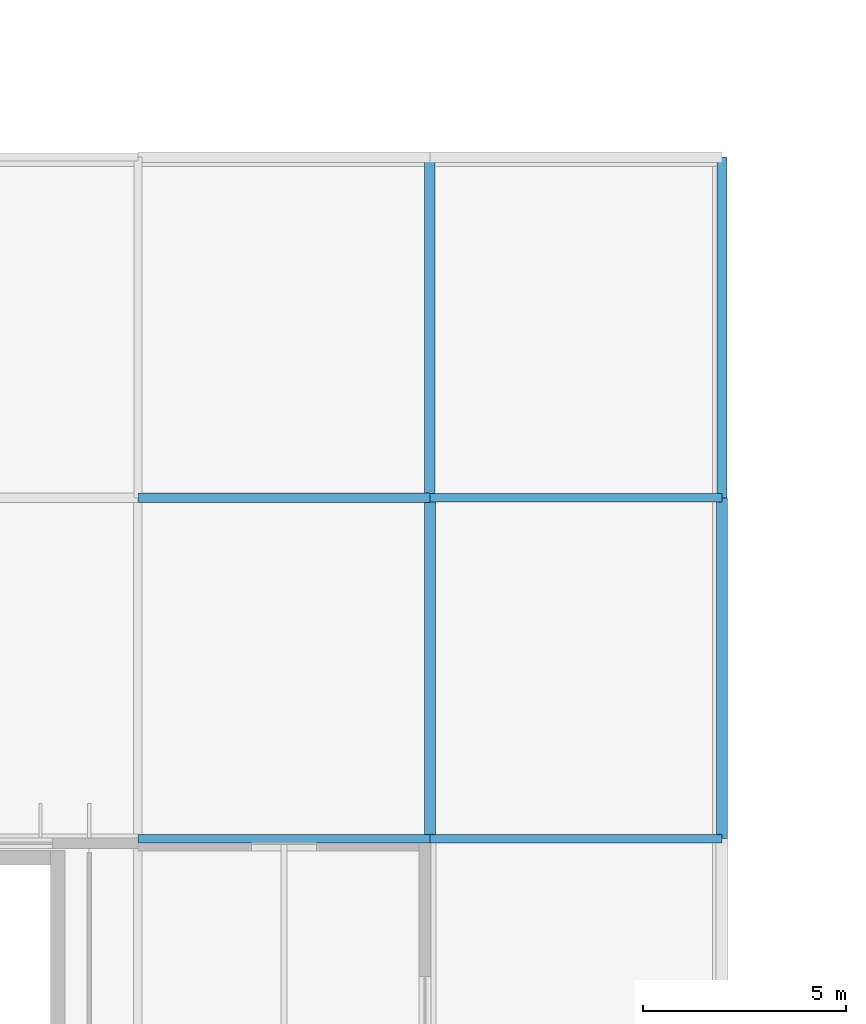
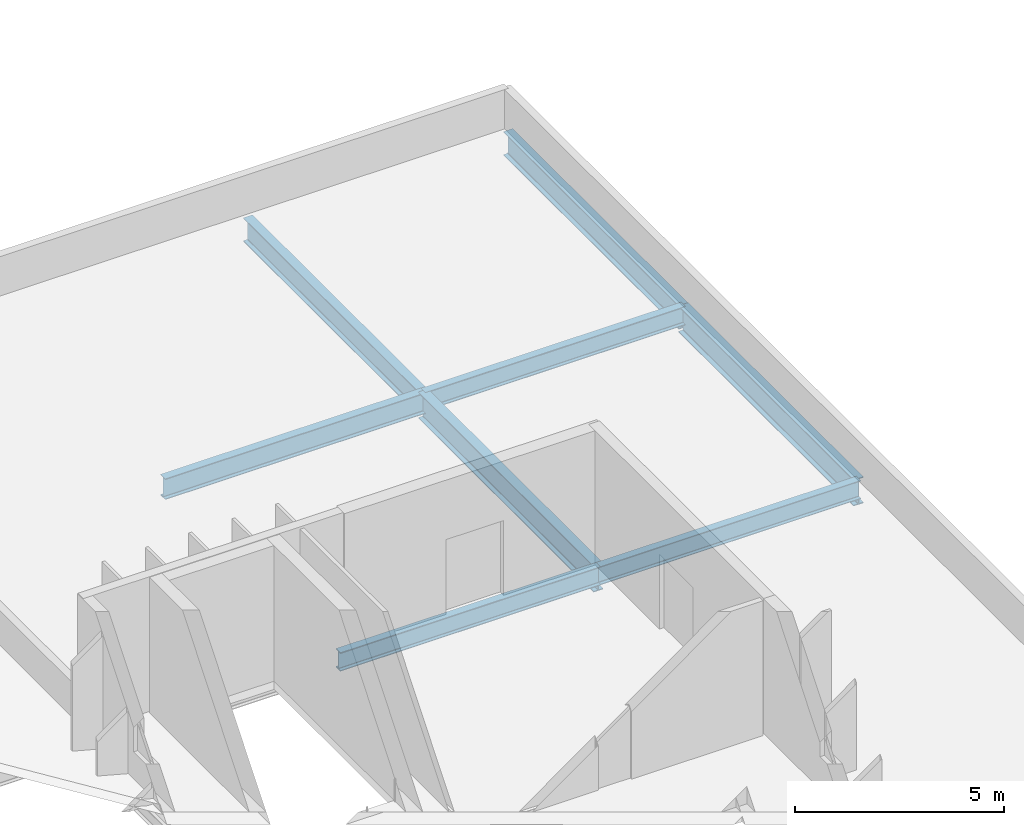
# One storey, part 19 of 99: 8 beams.
"""IFC4 building model written with IfcOpenShell, lengths in metres."""

from ifc_helpers import new_model, si_unit, direction, frame, origin, origin_2d, place, context, subcontext, project, spatial, i_section, extrude, material, material_profile, profile_set, type_object, element, save


model = new_model("IFC4")

# Units and contexts
model_context = context("Model", 3, precision=1e-05, world=origin(), true_north=direction((0.0, 1.0)))
body_context = subcontext(model_context, "Body", "Model", "MODEL_VIEW")
ifc_project = project(units=[si_unit("LENGTHUNIT", "METRE"), si_unit("AREAUNIT", "SQUARE_METRE"), si_unit("VOLUMEUNIT", "CUBIC_METRE"), si_unit("PLANEANGLEUNIT", "RADIAN"), si_unit("MASSUNIT", "GRAM", prefix="KILO")], contexts=[model_context])

# Site, building, storey
site_placement = place(None, origin())
site = spatial("IfcSite", under=ifc_project, at=site_placement, CompositionType="ELEMENT")
building_placement = place(site_placement, origin())
building = spatial("IfcBuilding", under=site, at=building_placement, Name="Qelthora Terrace Specialist Clinic", CompositionType="ELEMENT")
storey_placement = place(building_placement, frame((0.0, 0.0, 9.0)))
storey = spatial("IfcBuildingStorey", under=building, at=storey_placement, Name="L02", CompositionType="ELEMENT", Elevation=9.0)

# Beams
ifc_material = material(Name="Steel S355", Category="steel")
ifc_material_profile_1 = material_profile(ifc_material, i_section(OverallWidth=0.2099609375, OverallDepth=0.537109375, WebThickness=0.010986328125, FlangeThickness=0.017333984375, FilletRadius=0.013916015625, at=origin_2d()), Name="W530X101")
ifc_profile_set_1 = profile_set([ifc_material_profile_1], Name="Steel S355")
beam_type_1 = type_object("IfcBeamType", Name="BM-W530X101", PredefinedType="BEAM", material=ifc_profile_set_1)
beam_1_placement = place(storey_placement, frame((36.0, 16.800048828125, -0.5224609375), z_axis=(1.0, 0.0, 0.0), x_axis=(0.0, 1.0, 0.0)))
element("IfcBeam", 1, at=beam_1_placement, inside=storey, type_object=beam_type_1, Name="Girder BMX-L02-0580", PredefinedType="BEAM", context=body_context, shape_type="SweptSolid", body=[
    extrude(i_section(OverallWidth=0.2099609375, OverallDepth=0.537109375, WebThickness=0.010986328125, FlangeThickness=0.017333984375, FilletRadius=0.013916015625, at=origin_2d()), origin(), (0.0, 0.0, 1.0), 7.199951171875),
])
ifc_material_profile_2 = material_profile(ifc_material, i_section(OverallWidth=0.2119140625, OverallDepth=0.5439453125, WebThickness=0.01318359375, FlangeThickness=0.021240234375, FilletRadius=0.013916015625, at=origin_2d()), Name="W530X123")
ifc_profile_set_2 = profile_set([ifc_material_profile_2], Name="Steel S355")
beam_type_2 = type_object("IfcBeamType", Name="BM-W530X123", PredefinedType="BEAM", material=ifc_profile_set_2)
for number, where, z_axis, x_axis, name in (
    (2, (28.800048828125, 16.800048828125, -0.52587890625), (1.0, 0.0, 0.0), (0.0, 1.0, 0.0), "Girder BMX-L02-0579"),
    (3, (36.0, 25.199951171875, -0.52587890625), (1.0, 0.0, 0.0), (0.0, 1.0, 0.0), "Girder BMX-L02-0593"),
):
    element("IfcBeam", number, at=place(storey_placement, frame(where, z_axis=z_axis, x_axis=x_axis)), inside=storey, type_object=beam_type_2, Name=name, PredefinedType="BEAM", context=body_context, shape_type="SweptSolid", body=[
        extrude(i_section(OverallWidth=0.2119140625, OverallDepth=0.5439453125, WebThickness=0.01318359375, FlangeThickness=0.021240234375, FilletRadius=0.013916015625, at=origin_2d()), origin(), (0.0, 0.0, 1.0), 7.199951171875),
    ])
ifc_material_profile_3 = material_profile(ifc_material, i_section(OverallWidth=0.22900390625, OverallDepth=0.612060546875, WebThickness=0.011962890625, FlangeThickness=0.01953125, FilletRadius=0.01611328125, at=origin_2d()), Name="W610X125")
ifc_profile_set_3 = profile_set([ifc_material_profile_3], Name="Steel S355")
beam_type_3 = type_object("IfcBeamType", Name="BM-W610X125", PredefinedType="BEAM", material=ifc_profile_set_3)
beam_2_placement = place(storey_placement, frame((28.800048828125, 25.199951171875, -0.56005859375), z_axis=(1.0, 0.0, 0.0), x_axis=(0.0, 1.0, 0.0)))
element("IfcBeam", 4, at=beam_2_placement, inside=storey, type_object=beam_type_3, Name="Girder BMX-L02-0592", PredefinedType="BEAM", context=body_context, shape_type="SweptSolid", body=[
    extrude(i_section(OverallWidth=0.22900390625, OverallDepth=0.612060546875, WebThickness=0.011962890625, FlangeThickness=0.01953125, FilletRadius=0.01611328125, at=origin_2d()), origin(), (0.0, 0.0, 1.0), 7.199951171875),
])
ifc_material_profile_4 = material_profile(ifc_material, i_section(OverallWidth=0.256103515625, OverallDepth=0.693115234375, WebThickness=0.014404296875, FlangeThickness=0.023681640625, FilletRadius=0.01806640625, at=origin_2d()), Name="W690X170")
ifc_profile_set_4 = profile_set([ifc_material_profile_4], Name="Steel S355")
beam_type_4 = type_object("IfcBeamType", Name="BM-W690X170", PredefinedType="BEAM", material=ifc_profile_set_4)
for number, where, z_axis, x_axis, name in (
    (5, (36.0, 25.199951171875, -0.6005859375), (0.0, 1.0, 0.0), (-1.0, 0.0, 0.0), "Girder BMY-L02-0783"),
    (6, (43.199951171875, 25.199951171875, -0.6005859375), (0.0, 1.0, 0.0), (-1.0, 0.0, 0.0), "Girder BMY-L02-0793"),
):
    element("IfcBeam", number, at=place(storey_placement, frame(where, z_axis=z_axis, x_axis=x_axis)), inside=storey, type_object=beam_type_4, Name=name, PredefinedType="BEAM", context=body_context, shape_type="SweptSolid", body=[
        extrude(i_section(OverallWidth=0.256103515625, OverallDepth=0.693115234375, WebThickness=0.014404296875, FlangeThickness=0.023681640625, FilletRadius=0.01806640625, at=origin_2d()), origin(), (0.0, 0.0, 1.0), 8.400146484375),
    ])
ifc_material_profile_5 = material_profile(ifc_material, i_section(OverallWidth=0.26806640625, OverallDepth=0.77001953125, WebThickness=0.015625, FlangeThickness=0.025390625, FilletRadius=0.01904296875, at=origin_2d()), Name="W760X196")
ifc_profile_set_5 = profile_set([ifc_material_profile_5], Name="Steel S355")
beam_type_5 = type_object("IfcBeamType", Name="BM-W760X196", PredefinedType="BEAM", material=ifc_profile_set_5)
for number, where, z_axis, x_axis, name in (
    (7, (36.0, 16.800048828125, -0.638916015625), (0.0, 1.0, 0.0), (-1.0, 0.0, 0.0), "Girder BMY-L02-0782"),
    (8, (43.199951171875, 16.800048828125, -0.638916015625), (0.0, 1.0, 0.0), (-1.0, 0.0, 0.0), "Girder BMY-L02-0792"),
):
    element("IfcBeam", number, at=place(storey_placement, frame(where, z_axis=z_axis, x_axis=x_axis)), inside=storey, type_object=beam_type_5, Name=name, PredefinedType="BEAM", context=body_context, shape_type="SweptSolid", body=[
        extrude(i_section(OverallWidth=0.26806640625, OverallDepth=0.77001953125, WebThickness=0.015625, FlangeThickness=0.025390625, FilletRadius=0.01904296875, at=origin_2d()), origin(), (0.0, 0.0, 1.0), 8.39990234375),
    ])

save(model, "model.ifc")
